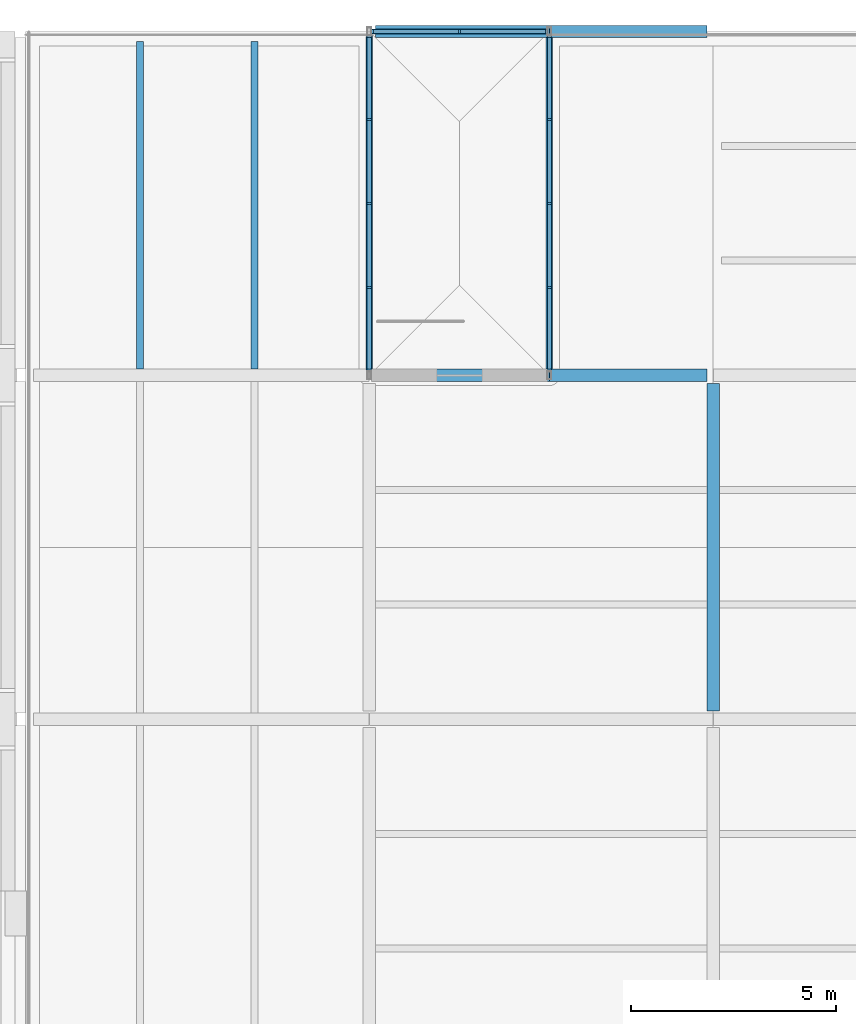
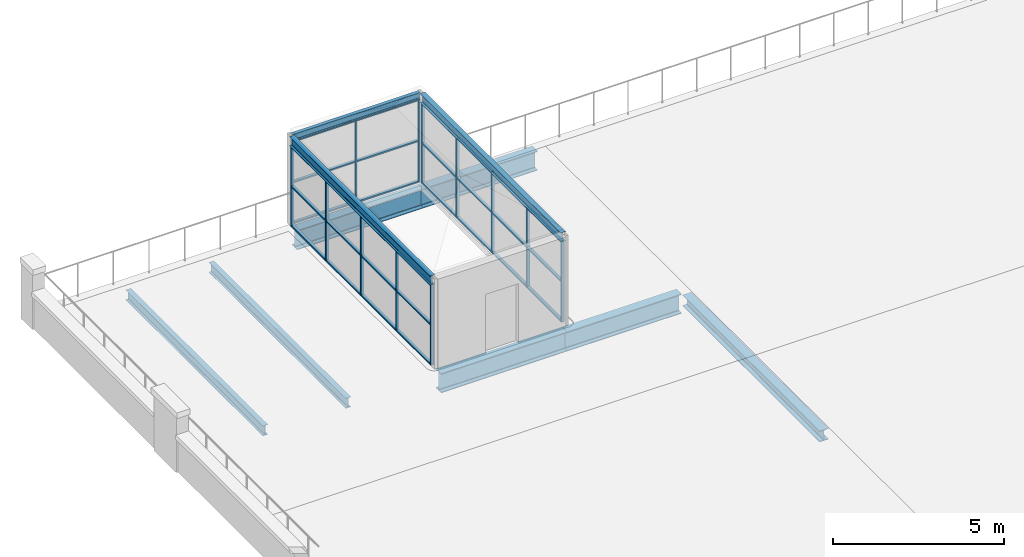
# One storey, part 18 of 58: 43 members, 10 beams, 3 elements without a shape of their own.
"""IFC4 building model written with IfcOpenShell, lengths in metres."""

from ifc_helpers import new_model, si_unit, direction, frame, origin, origin_2d, place, context, subcontext, project, spatial, rectangle, i_section, extrude, material, layer, layer_set, material_profile, profile_set, type_object, element, aggregate, save


model = new_model("IFC4")

# Units and contexts
model_context = context("Model", 3, precision=1e-05, world=origin(), true_north=direction((0.0, 1.0)))
body_context = subcontext(model_context, "Body", "Model", "MODEL_VIEW")
ifc_project = project(units=[si_unit("LENGTHUNIT", "METRE"), si_unit("AREAUNIT", "SQUARE_METRE"), si_unit("VOLUMEUNIT", "CUBIC_METRE"), si_unit("PLANEANGLEUNIT", "RADIAN"), si_unit("MASSUNIT", "GRAM", prefix="KILO")], contexts=[model_context])

# Site, building, storey
site_placement = place(None, origin())
site = spatial("IfcSite", under=ifc_project, at=site_placement, CompositionType="ELEMENT")
building_placement = place(site_placement, origin())
building = spatial("IfcBuilding", under=site, at=building_placement, Name="Galleria Vessillo Department Store", CompositionType="ELEMENT")
storey_placement = place(building_placement, frame((0.0, 0.0, 31.199951171875)))
storey = spatial("IfcBuildingStorey", under=building, at=storey_placement, Name="L06", CompositionType="ELEMENT", Elevation=31.199951171875)

# Curtain wall, members
ifc_material_1 = material(Name="Aluminium and glass curtain wall", Category="aluminium")
ifc_layer = layer(ifc_material_1, 0.10009765625)
ifc_layer_set = layer_set([ifc_layer], Name="Aluminium and glass curtain wall")
curtain_wall_type = type_object("IfcCurtainWallType", Name="Pavilion curtain wall CW5 2100 module", PredefinedType="NOTDEFINED", material=ifc_layer_set)
curtain_wall_1_placement = place(storey_placement, origin())
curtain_wall_1 = element("IfcCurtainWall", 1, at=curtain_wall_1_placement, inside=storey, type_object=curtain_wall_type, Name="Pavilion curtain wall CW5 2100 module PV-ST2-A", PredefinedType="NOTDEFINED")
ifc_material_2 = material(Name="Aluminium alloy 6063 T6", Category="aluminium")
ifc_material_profile_1 = material_profile(ifc_material_2, rectangle(XDim=0.10009765625, YDim=0.050048828125, at=origin_2d()), Name="AL 50x100")
ifc_profile_set_1 = profile_set([ifc_material_profile_1], Name="Aluminium alloy 6063 T6")
member_type_1 = type_object("IfcMemberType", Name="Aluminium mullion 50 x 100", PredefinedType="MULLION", material=ifc_profile_set_1)
member_1_placement = place(storey_placement, frame((8.39990234375, 54.72509765625, 0.0), z_axis=(0.0, 0.0, 1.0), x_axis=(-1.0, 0.0, 0.0)))
member_1 = element("IfcMember", 2, at=member_1_placement, type_object=member_type_1, Name="CW5 mullion 1", PredefinedType="MULLION", context=body_context, shape_type="SweptSolid", body=[
    extrude(rectangle(XDim=0.10009765625, YDim=0.050048828125, at=origin_2d()), origin(), (0.0, 0.0, 1.0), 2.8701171875),
])
member_2_placement = place(storey_placement, frame((8.39990234375, 56.75, 0.0), z_axis=(0.0, 0.0, 1.0), x_axis=(-1.0, 0.0, 0.0)))
member_2 = element("IfcMember", 3, at=member_2_placement, type_object=member_type_1, Name="CW5 mullion 2", PredefinedType="MULLION", context=body_context, shape_type="SweptSolid", body=[
    extrude(rectangle(XDim=0.10009765625, YDim=0.050048828125, at=origin_2d()), origin(), (0.0, 0.0, 1.0), 2.8701171875),
])
member_3_placement = place(storey_placement, frame((8.39990234375, 58.800048828125, 0.0), z_axis=(0.0, 0.0, 1.0), x_axis=(-1.0, 0.0, 0.0)))
member_3 = element("IfcMember", 4, at=member_3_placement, type_object=member_type_1, Name="CW5 mullion 3", PredefinedType="MULLION", context=body_context, shape_type="SweptSolid", body=[
    extrude(rectangle(XDim=0.10009765625, YDim=0.050048828125, at=origin_2d()), origin(), (0.0, 0.0, 1.0), 2.8701171875),
])
member_4_placement = place(storey_placement, frame((8.39990234375, 60.85009765625, 0.0), z_axis=(0.0, 0.0, 1.0), x_axis=(-1.0, 0.0, 0.0)))
member_4 = element("IfcMember", 5, at=member_4_placement, type_object=member_type_1, Name="CW5 mullion 4", PredefinedType="MULLION", context=body_context, shape_type="SweptSolid", body=[
    extrude(rectangle(XDim=0.10009765625, YDim=0.050048828125, at=origin_2d()), origin(), (0.0, 0.0, 1.0), 2.8701171875),
])
member_5_placement = place(storey_placement, frame((8.39990234375, 62.875, 0.0), z_axis=(0.0, 0.0, 1.0), x_axis=(-1.0, 0.0, 0.0)))
member_5 = element("IfcMember", 6, at=member_5_placement, type_object=member_type_1, Name="CW5 mullion 5", PredefinedType="MULLION", context=body_context, shape_type="SweptSolid", body=[
    extrude(rectangle(XDim=0.10009765625, YDim=0.050048828125, at=origin_2d()), origin(), (0.0, 0.0, 1.0), 2.8701171875),
])

curtain_wall_2_placement = place(storey_placement, origin())
curtain_wall_2 = element("IfcCurtainWall", 7, at=curtain_wall_2_placement, inside=storey, type_object=curtain_wall_type, Name="Pavilion curtain wall CW5 2100 module PV-ST2-B", PredefinedType="NOTDEFINED")
member_6_placement = place(storey_placement, frame((12.800048828125, 54.72509765625, 0.0), z_axis=(0.0, 0.0, 1.0), x_axis=(-1.0, 0.0, 0.0)))
member_6 = element("IfcMember", 8, at=member_6_placement, type_object=member_type_1, Name="CW5 mullion 1", PredefinedType="MULLION", context=body_context, shape_type="SweptSolid", body=[
    extrude(rectangle(XDim=0.10009765625, YDim=0.050048828125, at=origin_2d()), origin(), (0.0, 0.0, 1.0), 2.8701171875),
])
member_7_placement = place(storey_placement, frame((12.800048828125, 56.75, 0.0), z_axis=(0.0, 0.0, 1.0), x_axis=(-1.0, 0.0, 0.0)))
member_7 = element("IfcMember", 9, at=member_7_placement, type_object=member_type_1, Name="CW5 mullion 2", PredefinedType="MULLION", context=body_context, shape_type="SweptSolid", body=[
    extrude(rectangle(XDim=0.10009765625, YDim=0.050048828125, at=origin_2d()), origin(), (0.0, 0.0, 1.0), 2.8701171875),
])
member_8_placement = place(storey_placement, frame((12.800048828125, 58.800048828125, 0.0), z_axis=(0.0, 0.0, 1.0), x_axis=(-1.0, 0.0, 0.0)))
member_8 = element("IfcMember", 10, at=member_8_placement, type_object=member_type_1, Name="CW5 mullion 3", PredefinedType="MULLION", context=body_context, shape_type="SweptSolid", body=[
    extrude(rectangle(XDim=0.10009765625, YDim=0.050048828125, at=origin_2d()), origin(), (0.0, 0.0, 1.0), 2.8701171875),
])
member_9_placement = place(storey_placement, frame((12.800048828125, 60.85009765625, 0.0), z_axis=(0.0, 0.0, 1.0), x_axis=(-1.0, 0.0, 0.0)))
member_9 = element("IfcMember", 11, at=member_9_placement, type_object=member_type_1, Name="CW5 mullion 4", PredefinedType="MULLION", context=body_context, shape_type="SweptSolid", body=[
    extrude(rectangle(XDim=0.10009765625, YDim=0.050048828125, at=origin_2d()), origin(), (0.0, 0.0, 1.0), 2.8701171875),
])
member_10_placement = place(storey_placement, frame((12.800048828125, 62.875, 0.0), z_axis=(0.0, 0.0, 1.0), x_axis=(-1.0, 0.0, 0.0)))
member_10 = element("IfcMember", 12, at=member_10_placement, type_object=member_type_1, Name="CW5 mullion 5", PredefinedType="MULLION", context=body_context, shape_type="SweptSolid", body=[
    extrude(rectangle(XDim=0.10009765625, YDim=0.050048828125, at=origin_2d()), origin(), (0.0, 0.0, 1.0), 2.8701171875),
])

curtain_wall_3_placement = place(storey_placement, origin())
curtain_wall_3 = element("IfcCurtainWall", 13, at=curtain_wall_3_placement, inside=storey, type_object=curtain_wall_type, Name="Pavilion curtain wall CW5 2100 module PV-ST2-F", PredefinedType="NOTDEFINED")
member_11_placement = place(storey_placement, frame((8.474853515625, 63.0, 0.0), z_axis=(0.0, 0.0, 1.0), x_axis=(0.0, 1.0, 0.0)))
member_11 = element("IfcMember", 14, at=member_11_placement, type_object=member_type_1, Name="CW5 mullion 1", PredefinedType="MULLION", context=body_context, shape_type="SweptSolid", body=[
    extrude(rectangle(XDim=0.10009765625, YDim=0.050048828125, at=origin_2d()), origin(), (0.0, 0.0, 1.0), 2.960205078125),
])
member_12_placement = place(storey_placement, frame((10.60009765625, 63.0, 0.0), z_axis=(0.0, 0.0, 1.0), x_axis=(0.0, 1.0, 0.0)))
member_12 = element("IfcMember", 15, at=member_12_placement, type_object=member_type_1, Name="CW5 mullion 2", PredefinedType="MULLION", context=body_context, shape_type="SweptSolid", body=[
    extrude(rectangle(XDim=0.10009765625, YDim=0.050048828125, at=origin_2d()), origin(), (0.0, 0.0, 1.0), 2.960205078125),
])
member_13_placement = place(storey_placement, frame((12.72509765625, 63.0, 0.0), z_axis=(0.0, 0.0, 1.0), x_axis=(0.0, 1.0, 0.0)))
member_13 = element("IfcMember", 16, at=member_13_placement, type_object=member_type_1, Name="CW5 mullion 3", PredefinedType="MULLION", context=body_context, shape_type="SweptSolid", body=[
    extrude(rectangle(XDim=0.10009765625, YDim=0.050048828125, at=origin_2d()), origin(), (0.0, 0.0, 1.0), 2.960205078125),
])

# Member
ifc_material_3 = material(Name="Aluminium alloy 6063 T6", Category="aluminium")
ifc_material_profile_2 = material_profile(ifc_material_3, rectangle(XDim=0.10009765625, YDim=0.050048828125, at=origin_2d()), Name="AL 50x100")
ifc_profile_set_2 = profile_set([ifc_material_profile_2], Name="Aluminium alloy 6063 T6")
member_type_2 = type_object("IfcMemberType", Name="Aluminium transom 50 x 100", PredefinedType="USERDEFINED", material=ifc_profile_set_2)
member_14_placement = place(storey_placement, frame((8.39990234375, 54.75, 0.025146484375), z_axis=(0.0, 1.0, 0.0), x_axis=(-1.0, 0.0, 0.0)))
member_14 = element("IfcMember", 17, at=member_14_placement, type_object=member_type_2, Name="CW5 transom 1.1", ObjectType="TRANSOM", PredefinedType="USERDEFINED", context=body_context, shape_type="SweptSolid", body=[
    extrude(rectangle(XDim=0.10009765625, YDim=0.050048828125, at=origin_2d()), origin(), (0.0, 0.0, 1.0), 1.97509765625),
])

member_15_placement = place(storey_placement, frame((8.39990234375, 54.75, 1.43505859375), z_axis=(0.0, 1.0, 0.0), x_axis=(-1.0, 0.0, 0.0)))
member_15 = element("IfcMember", 18, at=member_15_placement, type_object=member_type_2, Name="CW5 transom 1.2", ObjectType="TRANSOM", PredefinedType="USERDEFINED", context=body_context, shape_type="SweptSolid", body=[
    extrude(rectangle(XDim=0.10009765625, YDim=0.050048828125, at=origin_2d()), origin(), (0.0, 0.0, 1.0), 1.97509765625),
])

member_16_placement = place(storey_placement, frame((8.39990234375, 54.75, 2.84521484375), z_axis=(0.0, 1.0, 0.0), x_axis=(-1.0, 0.0, 0.0)))
member_16 = element("IfcMember", 19, at=member_16_placement, type_object=member_type_2, Name="CW5 transom 1.3", ObjectType="TRANSOM", PredefinedType="USERDEFINED", context=body_context, shape_type="SweptSolid", body=[
    extrude(rectangle(XDim=0.10009765625, YDim=0.050048828125, at=origin_2d()), origin(), (0.0, 0.0, 1.0), 1.97509765625),
])

member_17_placement = place(storey_placement, frame((8.39990234375, 56.775146484375, 0.025146484375), z_axis=(0.0, 1.0, 0.0), x_axis=(-1.0, 0.0, 0.0)))
member_17 = element("IfcMember", 20, at=member_17_placement, type_object=member_type_2, Name="CW5 transom 2.1", ObjectType="TRANSOM", PredefinedType="USERDEFINED", context=body_context, shape_type="SweptSolid", body=[
    extrude(rectangle(XDim=0.10009765625, YDim=0.050048828125, at=origin_2d()), origin(), (0.0, 0.0, 1.0), 2.0),
])

member_18_placement = place(storey_placement, frame((8.39990234375, 56.775146484375, 1.43505859375), z_axis=(0.0, 1.0, 0.0), x_axis=(-1.0, 0.0, 0.0)))
member_18 = element("IfcMember", 21, at=member_18_placement, type_object=member_type_2, Name="CW5 transom 2.2", ObjectType="TRANSOM", PredefinedType="USERDEFINED", context=body_context, shape_type="SweptSolid", body=[
    extrude(rectangle(XDim=0.10009765625, YDim=0.050048828125, at=origin_2d()), origin(), (0.0, 0.0, 1.0), 2.0),
])

member_19_placement = place(storey_placement, frame((8.39990234375, 56.775146484375, 2.84521484375), z_axis=(0.0, 1.0, 0.0), x_axis=(-1.0, 0.0, 0.0)))
member_19 = element("IfcMember", 22, at=member_19_placement, type_object=member_type_2, Name="CW5 transom 2.3", ObjectType="TRANSOM", PredefinedType="USERDEFINED", context=body_context, shape_type="SweptSolid", body=[
    extrude(rectangle(XDim=0.10009765625, YDim=0.050048828125, at=origin_2d()), origin(), (0.0, 0.0, 1.0), 2.0),
])

member_20_placement = place(storey_placement, frame((8.39990234375, 58.824951171875, 0.025146484375), z_axis=(0.0, 1.0, 0.0), x_axis=(-1.0, 0.0, 0.0)))
member_20 = element("IfcMember", 23, at=member_20_placement, type_object=member_type_2, Name="CW5 transom 3.1", ObjectType="TRANSOM", PredefinedType="USERDEFINED", context=body_context, shape_type="SweptSolid", body=[
    extrude(rectangle(XDim=0.10009765625, YDim=0.050048828125, at=origin_2d()), origin(), (0.0, 0.0, 1.0), 2.0),
])

member_21_placement = place(storey_placement, frame((8.39990234375, 58.824951171875, 1.43505859375), z_axis=(0.0, 1.0, 0.0), x_axis=(-1.0, 0.0, 0.0)))
member_21 = element("IfcMember", 24, at=member_21_placement, type_object=member_type_2, Name="CW5 transom 3.2", ObjectType="TRANSOM", PredefinedType="USERDEFINED", context=body_context, shape_type="SweptSolid", body=[
    extrude(rectangle(XDim=0.10009765625, YDim=0.050048828125, at=origin_2d()), origin(), (0.0, 0.0, 1.0), 2.0),
])

member_22_placement = place(storey_placement, frame((8.39990234375, 58.824951171875, 2.84521484375), z_axis=(0.0, 1.0, 0.0), x_axis=(-1.0, 0.0, 0.0)))
member_22 = element("IfcMember", 25, at=member_22_placement, type_object=member_type_2, Name="CW5 transom 3.3", ObjectType="TRANSOM", PredefinedType="USERDEFINED", context=body_context, shape_type="SweptSolid", body=[
    extrude(rectangle(XDim=0.10009765625, YDim=0.050048828125, at=origin_2d()), origin(), (0.0, 0.0, 1.0), 2.0),
])

member_23_placement = place(storey_placement, frame((8.39990234375, 60.875, 0.025146484375), z_axis=(0.0, 1.0, 0.0), x_axis=(-1.0, 0.0, 0.0)))
member_23 = element("IfcMember", 26, at=member_23_placement, type_object=member_type_2, Name="CW5 transom 4.1", ObjectType="TRANSOM", PredefinedType="USERDEFINED", context=body_context, shape_type="SweptSolid", body=[
    extrude(rectangle(XDim=0.10009765625, YDim=0.050048828125, at=origin_2d()), origin(), (0.0, 0.0, 1.0), 1.97509765625),
])

member_24_placement = place(storey_placement, frame((8.39990234375, 60.875, 1.43505859375), z_axis=(0.0, 1.0, 0.0), x_axis=(-1.0, 0.0, 0.0)))
member_24 = element("IfcMember", 27, at=member_24_placement, type_object=member_type_2, Name="CW5 transom 4.2", ObjectType="TRANSOM", PredefinedType="USERDEFINED", context=body_context, shape_type="SweptSolid", body=[
    extrude(rectangle(XDim=0.10009765625, YDim=0.050048828125, at=origin_2d()), origin(), (0.0, 0.0, 1.0), 1.97509765625),
])

member_25_placement = place(storey_placement, frame((8.39990234375, 60.875, 2.84521484375), z_axis=(0.0, 1.0, 0.0), x_axis=(-1.0, 0.0, 0.0)))
member_25 = element("IfcMember", 28, at=member_25_placement, type_object=member_type_2, Name="CW5 transom 4.3", ObjectType="TRANSOM", PredefinedType="USERDEFINED", context=body_context, shape_type="SweptSolid", body=[
    extrude(rectangle(XDim=0.10009765625, YDim=0.050048828125, at=origin_2d()), origin(), (0.0, 0.0, 1.0), 1.97509765625),
])

aggregate(curtain_wall_1, [member_1, member_2, member_3, member_4, member_5, member_14, member_15, member_16, member_17, member_18, member_19, member_20, member_21, member_22, member_23, member_24, member_25])

member_26_placement = place(storey_placement, frame((12.800048828125, 54.75, 0.025146484375), z_axis=(0.0, 1.0, 0.0), x_axis=(-1.0, 0.0, 0.0)))
member_26 = element("IfcMember", 29, at=member_26_placement, type_object=member_type_2, Name="CW5 transom 1.1", ObjectType="TRANSOM", PredefinedType="USERDEFINED", context=body_context, shape_type="SweptSolid", body=[
    extrude(rectangle(XDim=0.10009765625, YDim=0.050048828125, at=origin_2d()), origin(), (0.0, 0.0, 1.0), 1.97509765625),
])

member_27_placement = place(storey_placement, frame((12.800048828125, 54.75, 1.43505859375), z_axis=(0.0, 1.0, 0.0), x_axis=(-1.0, 0.0, 0.0)))
member_27 = element("IfcMember", 30, at=member_27_placement, type_object=member_type_2, Name="CW5 transom 1.2", ObjectType="TRANSOM", PredefinedType="USERDEFINED", context=body_context, shape_type="SweptSolid", body=[
    extrude(rectangle(XDim=0.10009765625, YDim=0.050048828125, at=origin_2d()), origin(), (0.0, 0.0, 1.0), 1.97509765625),
])

member_28_placement = place(storey_placement, frame((12.800048828125, 54.75, 2.84521484375), z_axis=(0.0, 1.0, 0.0), x_axis=(-1.0, 0.0, 0.0)))
member_28 = element("IfcMember", 31, at=member_28_placement, type_object=member_type_2, Name="CW5 transom 1.3", ObjectType="TRANSOM", PredefinedType="USERDEFINED", context=body_context, shape_type="SweptSolid", body=[
    extrude(rectangle(XDim=0.10009765625, YDim=0.050048828125, at=origin_2d()), origin(), (0.0, 0.0, 1.0), 1.97509765625),
])

member_29_placement = place(storey_placement, frame((12.800048828125, 56.775146484375, 0.025146484375), z_axis=(0.0, 1.0, 0.0), x_axis=(-1.0, 0.0, 0.0)))
member_29 = element("IfcMember", 32, at=member_29_placement, type_object=member_type_2, Name="CW5 transom 2.1", ObjectType="TRANSOM", PredefinedType="USERDEFINED", context=body_context, shape_type="SweptSolid", body=[
    extrude(rectangle(XDim=0.10009765625, YDim=0.050048828125, at=origin_2d()), origin(), (0.0, 0.0, 1.0), 2.0),
])

member_30_placement = place(storey_placement, frame((12.800048828125, 56.775146484375, 1.43505859375), z_axis=(0.0, 1.0, 0.0), x_axis=(-1.0, 0.0, 0.0)))
member_30 = element("IfcMember", 33, at=member_30_placement, type_object=member_type_2, Name="CW5 transom 2.2", ObjectType="TRANSOM", PredefinedType="USERDEFINED", context=body_context, shape_type="SweptSolid", body=[
    extrude(rectangle(XDim=0.10009765625, YDim=0.050048828125, at=origin_2d()), origin(), (0.0, 0.0, 1.0), 2.0),
])

member_31_placement = place(storey_placement, frame((12.800048828125, 56.775146484375, 2.84521484375), z_axis=(0.0, 1.0, 0.0), x_axis=(-1.0, 0.0, 0.0)))
member_31 = element("IfcMember", 34, at=member_31_placement, type_object=member_type_2, Name="CW5 transom 2.3", ObjectType="TRANSOM", PredefinedType="USERDEFINED", context=body_context, shape_type="SweptSolid", body=[
    extrude(rectangle(XDim=0.10009765625, YDim=0.050048828125, at=origin_2d()), origin(), (0.0, 0.0, 1.0), 2.0),
])

member_32_placement = place(storey_placement, frame((12.800048828125, 58.824951171875, 0.025146484375), z_axis=(0.0, 1.0, 0.0), x_axis=(-1.0, 0.0, 0.0)))
member_32 = element("IfcMember", 35, at=member_32_placement, type_object=member_type_2, Name="CW5 transom 3.1", ObjectType="TRANSOM", PredefinedType="USERDEFINED", context=body_context, shape_type="SweptSolid", body=[
    extrude(rectangle(XDim=0.10009765625, YDim=0.050048828125, at=origin_2d()), origin(), (0.0, 0.0, 1.0), 2.0),
])

member_33_placement = place(storey_placement, frame((12.800048828125, 58.824951171875, 1.43505859375), z_axis=(0.0, 1.0, 0.0), x_axis=(-1.0, 0.0, 0.0)))
member_33 = element("IfcMember", 36, at=member_33_placement, type_object=member_type_2, Name="CW5 transom 3.2", ObjectType="TRANSOM", PredefinedType="USERDEFINED", context=body_context, shape_type="SweptSolid", body=[
    extrude(rectangle(XDim=0.10009765625, YDim=0.050048828125, at=origin_2d()), origin(), (0.0, 0.0, 1.0), 2.0),
])

member_34_placement = place(storey_placement, frame((12.800048828125, 58.824951171875, 2.84521484375), z_axis=(0.0, 1.0, 0.0), x_axis=(-1.0, 0.0, 0.0)))
member_34 = element("IfcMember", 37, at=member_34_placement, type_object=member_type_2, Name="CW5 transom 3.3", ObjectType="TRANSOM", PredefinedType="USERDEFINED", context=body_context, shape_type="SweptSolid", body=[
    extrude(rectangle(XDim=0.10009765625, YDim=0.050048828125, at=origin_2d()), origin(), (0.0, 0.0, 1.0), 2.0),
])

member_35_placement = place(storey_placement, frame((12.800048828125, 60.875, 0.025146484375), z_axis=(0.0, 1.0, 0.0), x_axis=(-1.0, 0.0, 0.0)))
member_35 = element("IfcMember", 38, at=member_35_placement, type_object=member_type_2, Name="CW5 transom 4.1", ObjectType="TRANSOM", PredefinedType="USERDEFINED", context=body_context, shape_type="SweptSolid", body=[
    extrude(rectangle(XDim=0.10009765625, YDim=0.050048828125, at=origin_2d()), origin(), (0.0, 0.0, 1.0), 1.97509765625),
])

member_36_placement = place(storey_placement, frame((12.800048828125, 60.875, 1.43505859375), z_axis=(0.0, 1.0, 0.0), x_axis=(-1.0, 0.0, 0.0)))
member_36 = element("IfcMember", 39, at=member_36_placement, type_object=member_type_2, Name="CW5 transom 4.2", ObjectType="TRANSOM", PredefinedType="USERDEFINED", context=body_context, shape_type="SweptSolid", body=[
    extrude(rectangle(XDim=0.10009765625, YDim=0.050048828125, at=origin_2d()), origin(), (0.0, 0.0, 1.0), 1.97509765625),
])

member_37_placement = place(storey_placement, frame((12.800048828125, 60.875, 2.84521484375), z_axis=(0.0, 1.0, 0.0), x_axis=(-1.0, 0.0, 0.0)))
member_37 = element("IfcMember", 40, at=member_37_placement, type_object=member_type_2, Name="CW5 transom 4.3", ObjectType="TRANSOM", PredefinedType="USERDEFINED", context=body_context, shape_type="SweptSolid", body=[
    extrude(rectangle(XDim=0.10009765625, YDim=0.050048828125, at=origin_2d()), origin(), (0.0, 0.0, 1.0), 1.97509765625),
])

aggregate(curtain_wall_2, [member_6, member_7, member_8, member_9, member_10, member_26, member_27, member_28, member_29, member_30, member_31, member_32, member_33, member_34, member_35, member_36, member_37])

member_38_placement = place(storey_placement, frame((8.5, 63.0, 0.025146484375), z_axis=(1.0, 0.0, 0.0), x_axis=(0.0, 1.0, 0.0)))
member_38 = element("IfcMember", 41, at=member_38_placement, type_object=member_type_2, Name="CW5 transom 1.1", ObjectType="TRANSOM", PredefinedType="USERDEFINED", context=body_context, shape_type="SweptSolid", body=[
    extrude(rectangle(XDim=0.10009765625, YDim=0.050048828125, at=origin_2d()), origin(), (0.0, 0.0, 1.0), 2.074951171875),
])

member_39_placement = place(storey_placement, frame((8.5, 63.0, 1.480224609375), z_axis=(1.0, 0.0, 0.0), x_axis=(0.0, 1.0, 0.0)))
member_39 = element("IfcMember", 42, at=member_39_placement, type_object=member_type_2, Name="CW5 transom 1.2", ObjectType="TRANSOM", PredefinedType="USERDEFINED", context=body_context, shape_type="SweptSolid", body=[
    extrude(rectangle(XDim=0.10009765625, YDim=0.050048828125, at=origin_2d()), origin(), (0.0, 0.0, 1.0), 2.074951171875),
])

member_40_placement = place(storey_placement, frame((8.5, 63.0, 2.935302734375), z_axis=(1.0, 0.0, 0.0), x_axis=(0.0, 1.0, 0.0)))
member_40 = element("IfcMember", 43, at=member_40_placement, type_object=member_type_2, Name="CW5 transom 1.3", ObjectType="TRANSOM", PredefinedType="USERDEFINED", context=body_context, shape_type="SweptSolid", body=[
    extrude(rectangle(XDim=0.10009765625, YDim=0.050048828125, at=origin_2d()), origin(), (0.0, 0.0, 1.0), 2.074951171875),
])

member_41_placement = place(storey_placement, frame((10.625, 63.0, 0.025146484375), z_axis=(1.0, 0.0, 0.0), x_axis=(0.0, 1.0, 0.0)))
member_41 = element("IfcMember", 44, at=member_41_placement, type_object=member_type_2, Name="CW5 transom 2.1", ObjectType="TRANSOM", PredefinedType="USERDEFINED", context=body_context, shape_type="SweptSolid", body=[
    extrude(rectangle(XDim=0.10009765625, YDim=0.050048828125, at=origin_2d()), origin(), (0.0, 0.0, 1.0), 2.074951171875),
])

member_42_placement = place(storey_placement, frame((10.625, 63.0, 1.480224609375), z_axis=(1.0, 0.0, 0.0), x_axis=(0.0, 1.0, 0.0)))
member_42 = element("IfcMember", 45, at=member_42_placement, type_object=member_type_2, Name="CW5 transom 2.2", ObjectType="TRANSOM", PredefinedType="USERDEFINED", context=body_context, shape_type="SweptSolid", body=[
    extrude(rectangle(XDim=0.10009765625, YDim=0.050048828125, at=origin_2d()), origin(), (0.0, 0.0, 1.0), 2.074951171875),
])

member_43_placement = place(storey_placement, frame((10.625, 63.0, 2.935302734375), z_axis=(1.0, 0.0, 0.0), x_axis=(0.0, 1.0, 0.0)))
member_43 = element("IfcMember", 46, at=member_43_placement, type_object=member_type_2, Name="CW5 transom 2.3", ObjectType="TRANSOM", PredefinedType="USERDEFINED", context=body_context, shape_type="SweptSolid", body=[
    extrude(rectangle(XDim=0.10009765625, YDim=0.050048828125, at=origin_2d()), origin(), (0.0, 0.0, 1.0), 2.074951171875),
])

aggregate(curtain_wall_3, [member_11, member_12, member_13, member_38, member_39, member_40, member_41, member_42, member_43])

# Beams
ifc_material_4 = material(Name="Steel S355 J2", Category="steel")
ifc_material_profile_3 = material_profile(ifc_material_4, i_section(OverallWidth=0.300048828125, OverallDepth=0.389892578125, WebThickness=0.010986328125, FlangeThickness=0.01904296875, FilletRadius=0.027099609375, at=origin_2d()), Name="HEA 400")
ifc_profile_set_3 = profile_set([ifc_material_profile_3], Name="Steel S355 J2")
beam_type_1 = type_object("IfcBeamType", Name="Floor girder HEA 400", PredefinedType="BEAM", material=ifc_profile_set_3)
beam_1_placement = place(storey_placement, frame((16.800048828125, 46.400146484375, -0.39501953125), z_axis=(0.0, 1.0, 0.0), x_axis=(-1.0, 0.0, 0.0)))
element("IfcBeam", 47, at=beam_1_placement, inside=storey, type_object=beam_type_1, Name="S-BM-L06-GI-y16800-46400", PredefinedType="BEAM", context=body_context, shape_type="SweptSolid", body=[
    extrude(i_section(OverallWidth=0.300048828125, OverallDepth=0.389892578125, WebThickness=0.010986328125, FlangeThickness=0.01904296875, FilletRadius=0.027099609375, at=origin_2d()), origin(), (0.0, 0.0, 1.0), 7.999755859375),
])
ifc_material_5 = material(Name="Steel S355 J2", Category="steel")
ifc_material_profile_4 = material_profile(ifc_material_5, i_section(OverallWidth=0.169921875, OverallDepth=0.360107421875, WebThickness=0.008056640625, FlangeThickness=0.0126953125, FilletRadius=0.01806640625, at=origin_2d()), Name="IPE 360")
ifc_profile_set_4 = profile_set([ifc_material_profile_4], Name="Steel S355 J2")
beam_type_2 = type_object("IfcBeamType", Name="Floor joist IPE 360", PredefinedType="JOIST", material=ifc_profile_set_4)
for number, where, z_axis, x_axis, name in (
    (48, (2.800048828125, 54.750244140625, -0.3798828125), (0.0, 1.0, 0.0), (-1.0, 0.0, 0.0), "S-BM-L06-JO-y2800-54750"),
    (49, (5.60009765625, 54.750244140625, -0.3798828125), (0.0, 1.0, 0.0), (-1.0, 0.0, 0.0), "S-BM-L06-JO-y5600-54750"),
):
    element("IfcBeam", number, at=place(storey_placement, frame(where, z_axis=z_axis, x_axis=x_axis)), inside=storey, type_object=beam_type_2, Name=name, PredefinedType="JOIST", context=body_context, shape_type="SweptSolid", body=[
        extrude(i_section(OverallWidth=0.169921875, OverallDepth=0.360107421875, WebThickness=0.008056640625, FlangeThickness=0.0126953125, FilletRadius=0.01806640625, at=origin_2d()), origin(), (0.0, 0.0, 1.0), 7.99951171875),
    ])
ifc_material_6 = material(Name="Steel S355 J2", Category="steel")
ifc_material_profile_5 = material_profile(ifc_material_6, i_section(OverallWidth=0.300048828125, OverallDepth=0.68994140625, WebThickness=0.014404296875, FlangeThickness=0.027099609375, FilletRadius=0.027099609375, at=origin_2d()), Name="HEA 700")
ifc_profile_set_5 = profile_set([ifc_material_profile_5], Name="Steel S355 J2")
beam_type_3 = type_object("IfcBeamType", Name="Pavilion base beam HEA 700", PredefinedType="BEAM", material=ifc_profile_set_5)
beam_2_placement = place(storey_placement, frame((8.550048828125, 63.0, -0.544921875), z_axis=(1.0, 0.0, 0.0), x_axis=(0.0, 1.0, 0.0)))
element("IfcBeam", 50, at=beam_2_placement, inside=storey, type_object=beam_type_3, Name="S-BB-ST2-PE1", PredefinedType="BEAM", context=body_context, shape_type="SweptSolid", body=[
    extrude(i_section(OverallWidth=0.300048828125, OverallDepth=0.68994140625, WebThickness=0.014404296875, FlangeThickness=0.027099609375, FilletRadius=0.027099609375, at=origin_2d()), origin(), (0.0, 0.0, 1.0), 4.249755859375),
])
beam_3_placement = place(storey_placement, frame((12.80029296875, 63.0, -0.544921875), z_axis=(1.0, 0.0, 0.0), x_axis=(0.0, 1.0, 0.0)))
element("IfcBeam", 51, at=beam_3_placement, inside=storey, type_object=beam_type_3, Name="S-BB-ST2-PE2", PredefinedType="BEAM", context=body_context, shape_type="SweptSolid", body=[
    extrude(i_section(OverallWidth=0.300048828125, OverallDepth=0.68994140625, WebThickness=0.014404296875, FlangeThickness=0.027099609375, FilletRadius=0.027099609375, at=origin_2d()), origin(), (0.0, 0.0, 1.0), 3.849609375),
])
beam_4_placement = place(storey_placement, frame((8.550048828125, 54.60009765625, -0.544921875), z_axis=(1.0, 0.0, 0.0), x_axis=(0.0, 1.0, 0.0)))
element("IfcBeam", 52, at=beam_4_placement, inside=storey, type_object=beam_type_3, Name="S-BB-ST2-DE1", PredefinedType="BEAM", context=body_context, shape_type="SweptSolid", body=[
    extrude(i_section(OverallWidth=0.300048828125, OverallDepth=0.68994140625, WebThickness=0.014404296875, FlangeThickness=0.027099609375, FilletRadius=0.027099609375, at=origin_2d()), origin(), (0.0, 0.0, 1.0), 4.249755859375),
])
beam_5_placement = place(storey_placement, frame((12.80029296875, 54.60009765625, -0.544921875), z_axis=(1.0, 0.0, 0.0), x_axis=(0.0, 1.0, 0.0)))
element("IfcBeam", 53, at=beam_5_placement, inside=storey, type_object=beam_type_3, Name="S-BB-ST2-DE2", PredefinedType="BEAM", context=body_context, shape_type="SweptSolid", body=[
    extrude(i_section(OverallWidth=0.300048828125, OverallDepth=0.68994140625, WebThickness=0.014404296875, FlangeThickness=0.027099609375, FilletRadius=0.027099609375, at=origin_2d()), origin(), (0.0, 0.0, 1.0), 3.849609375),
])
ifc_material_7 = material(Name="Steel S355 J2", Category="steel")
ifc_material_profile_6 = material_profile(ifc_material_7, i_section(OverallWidth=0.1201171875, OverallDepth=0.239990234375, WebThickness=0.006103515625, FlangeThickness=0.009765625, FilletRadius=0.014892578125, at=origin_2d()), Name="IPE 240")
ifc_profile_set_6 = profile_set([ifc_material_profile_6], Name="Steel S355 J2")
beam_type_4 = type_object("IfcBeamType", Name="Roof end beam IPE 240", PredefinedType="BEAM", material=ifc_profile_set_6)
beam_6_placement = place(storey_placement, frame((8.449951171875, 63.0, 3.080078125), z_axis=(1.0, 0.0, 0.0), x_axis=(0.0, 1.0, 0.0)))
element("IfcBeam", 54, at=beam_6_placement, inside=storey, type_object=beam_type_4, Name="S-RB-ST2-P", PredefinedType="BEAM", context=body_context, shape_type="SweptSolid", body=[
    extrude(i_section(OverallWidth=0.1201171875, OverallDepth=0.239990234375, WebThickness=0.006103515625, FlangeThickness=0.009765625, FilletRadius=0.014892578125, at=origin_2d()), origin(), (0.0, 0.0, 1.0), 4.300048828125),
])
ifc_material_8 = material(Name="Steel S355 J2", Category="steel")
ifc_material_profile_7 = material_profile(ifc_material_8, i_section(OverallWidth=0.159912109375, OverallDepth=0.330078125, WebThickness=0.007568359375, FlangeThickness=0.011474609375, FilletRadius=0.01806640625, at=origin_2d()), Name="IPE 330")
ifc_profile_set_7 = profile_set([ifc_material_profile_7], Name="Steel S355 J2")
beam_type_5 = type_object("IfcBeamType", Name="Roof side beam IPE 330", PredefinedType="BEAM", material=ifc_profile_set_7)
for number, where, z_axis, x_axis, name in (
    (55, (8.39990234375, 62.89990234375, 3.03515625), (0.0, -1.0, 0.0), (1.0, 0.0, 0.0), "S-RB-ST2-W"),
    (56, (12.800048828125, 62.89990234375, 3.03515625), (0.0, -1.0, 0.0), (1.0, 0.0, 0.0), "S-RB-ST2-E"),
):
    element("IfcBeam", number, at=place(storey_placement, frame(where, z_axis=z_axis, x_axis=x_axis)), inside=storey, type_object=beam_type_5, Name=name, PredefinedType="BEAM", context=body_context, shape_type="SweptSolid", body=[
        extrude(i_section(OverallWidth=0.159912109375, OverallDepth=0.330078125, WebThickness=0.007568359375, FlangeThickness=0.011474609375, FilletRadius=0.01806640625, at=origin_2d()), origin(), (0.0, 0.0, 1.0), 8.19970703125),
    ])

save(model, "model.ifc")
